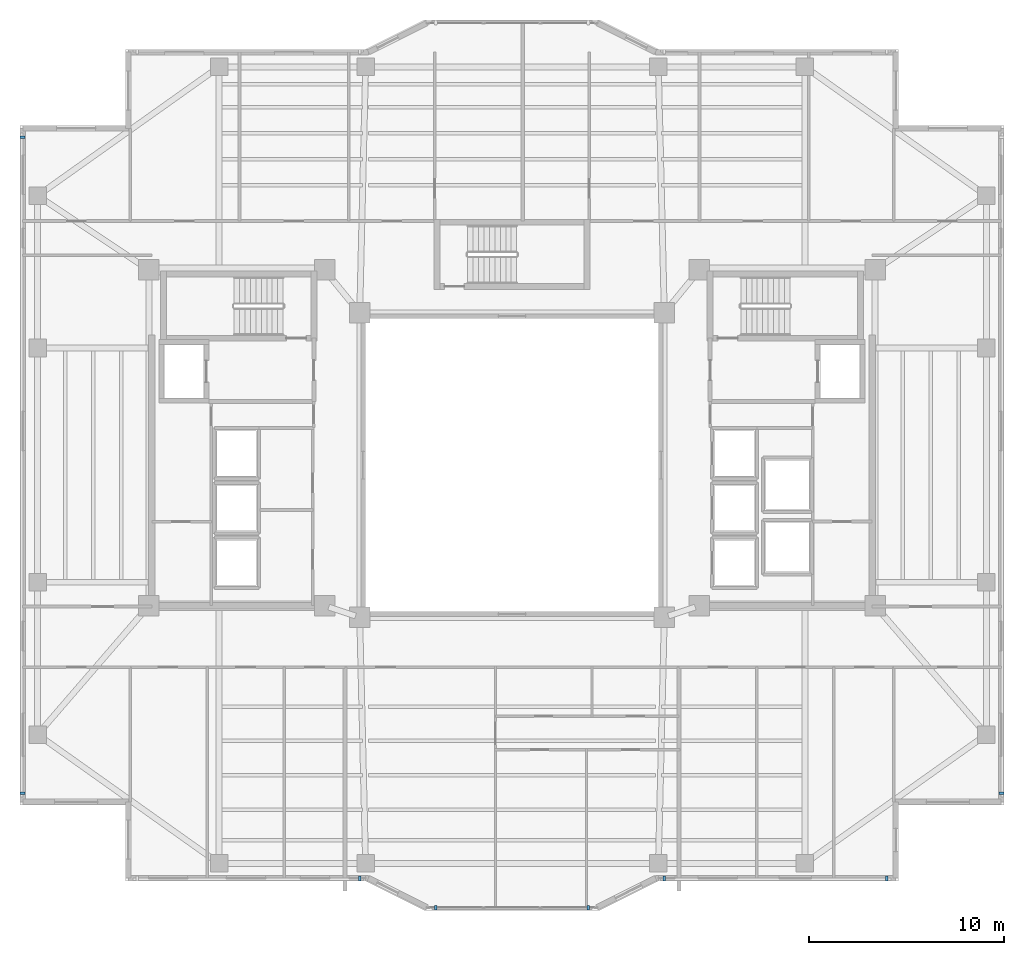
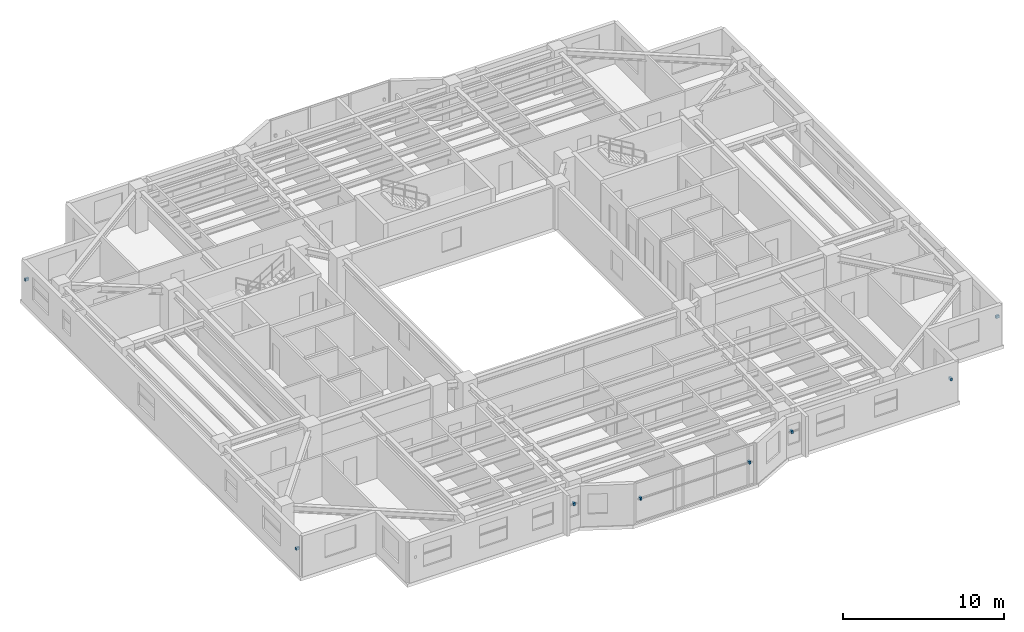
# One storey, part 11 of 15: 8 discrete accessories.
"""IFC4 building model written with IfcOpenShell, lengths in metres."""

from ifc_helpers import new_model, si_unit, direction, frame, origin, origin_2d, place, context, subcontext, project, spatial, rectangle, extrude, material, type_object, element, save


model = new_model("IFC4")

# Units and contexts
model_context = context("Model", 3, precision=1e-05, world=origin(), true_north=direction((0.0, 1.0)))
body_context = subcontext(model_context, "Body", "Model", "MODEL_VIEW")
ifc_project = project(units=[si_unit("LENGTHUNIT", "METRE"), si_unit("AREAUNIT", "SQUARE_METRE"), si_unit("VOLUMEUNIT", "CUBIC_METRE"), si_unit("PLANEANGLEUNIT", "RADIAN"), si_unit("MASSUNIT", "GRAM", prefix="KILO")], contexts=[model_context])

# Site, building, storey
site_placement = place(None, origin())
site = spatial("IfcSite", under=ifc_project, at=site_placement, CompositionType="ELEMENT")
building_placement = place(site_placement, origin())
building = spatial("IfcBuilding", under=site, at=building_placement, Name="Tarnavaz Court Tower", CompositionType="ELEMENT")
storey_placement = place(building_placement, frame((0.0, 0.0, 139.300048828125)))
storey = spatial("IfcBuildingStorey", under=building, at=storey_placement, Name="L37", CompositionType="ELEMENT", Elevation=139.300048828125)

# Discrete accessories
ifc_material = material(Name="Anodised Aluminium 6063-T6", Category="aluminium")
discrete_accessory_type = type_object("IfcDiscreteAccessoryType", Name="DA-BRKT-ALU", PredefinedType="BRACKET", material=ifc_material)
for number, where, z_axis, x_axis, name in (
    (1, (-25.070068359375, -16.800048828125, 1.75), (0.0, 0.0, 1.0), (0.0, 1.0, 0.0), "L37 Baguette Outrigger Bracket FBG02-1"),
    (2, (-25.070068359375, 16.800048828125, 1.75), (0.0, 0.0, 1.0), (0.0, 1.0, 0.0), "L37 Baguette Outrigger Bracket FBG02-2"),
    (3, (25.070068359375, -16.800048828125, 1.75), (0.0, 0.0, 1.0), (0.0, -1.0, 0.0), "L37 Baguette Outrigger Bracket FBG12-2"),
    (4, (19.199951171875, -21.169921875, 1.75), (0.0, 0.0, 1.0), (-1.0, 0.0, 0.0), "L37 Baguette Outrigger Bracket FBG15-1"),
    (5, (7.800048828125, -21.169921875, 1.75), (0.0, 0.0, 1.0), (-1.0, 0.0, 0.0), "L37 Baguette Outrigger Bracket FBG15-2"),
    (6, (3.89990234375, -22.669921875, 1.7001953125), (0.0, 0.0, 1.0), (-1.0, 0.0, 0.0), "L37 Baguette Outrigger Bracket PBG17-1"),
    (7, (-3.89990234375, -22.669921875, 1.7001953125), (0.0, 0.0, 1.0), (-1.0, 0.0, 0.0), "L37 Baguette Outrigger Bracket PBG17-2"),
    (8, (-7.800048828125, -21.169921875, 1.75), (0.0, 0.0, 1.0), (-1.0, 0.0, 0.0), "L37 Baguette Outrigger Bracket FBG19-1"),
):
    element("IfcDiscreteAccessory", number, at=place(storey_placement, frame(where, z_axis=z_axis, x_axis=x_axis)), inside=storey, type_object=discrete_accessory_type, Name=name, PredefinedType="BRACKET", context=body_context, shape_type="SweptSolid", body=[
        extrude(rectangle(XDim=0.139892578125, YDim=0.239990234375, at=origin_2d()), origin(), (0.0, 0.0, 1.0), 0.199951171875),
    ])

save(model, "model.ifc")
